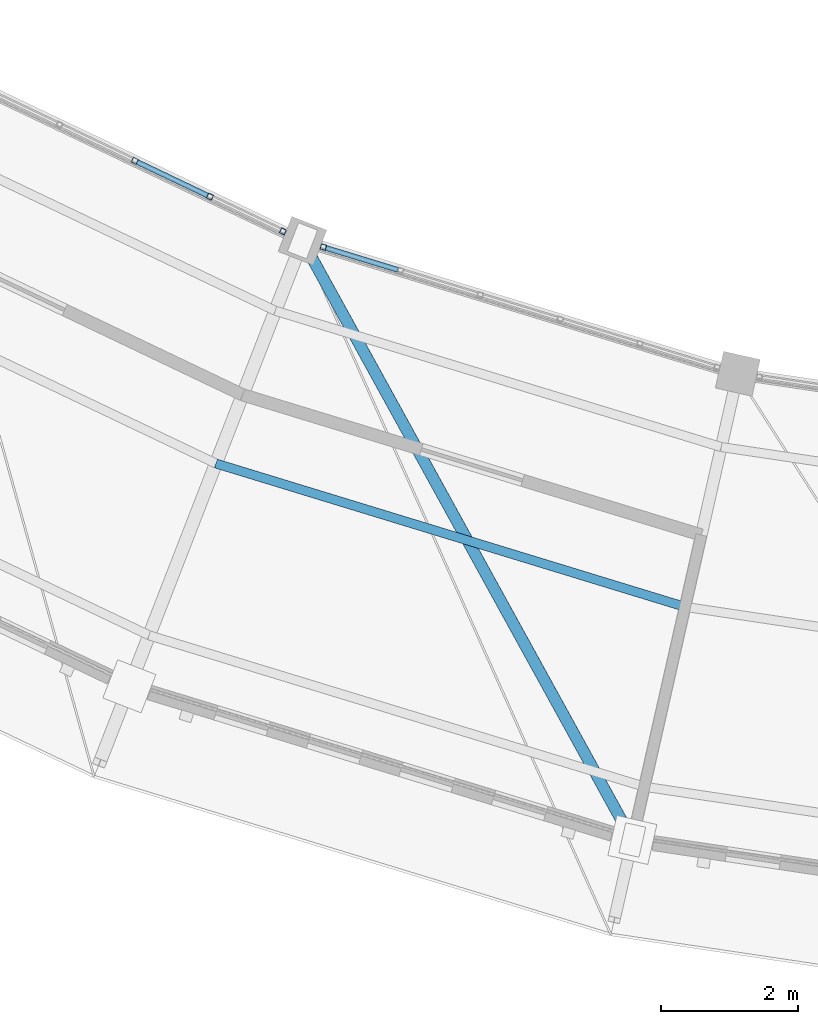
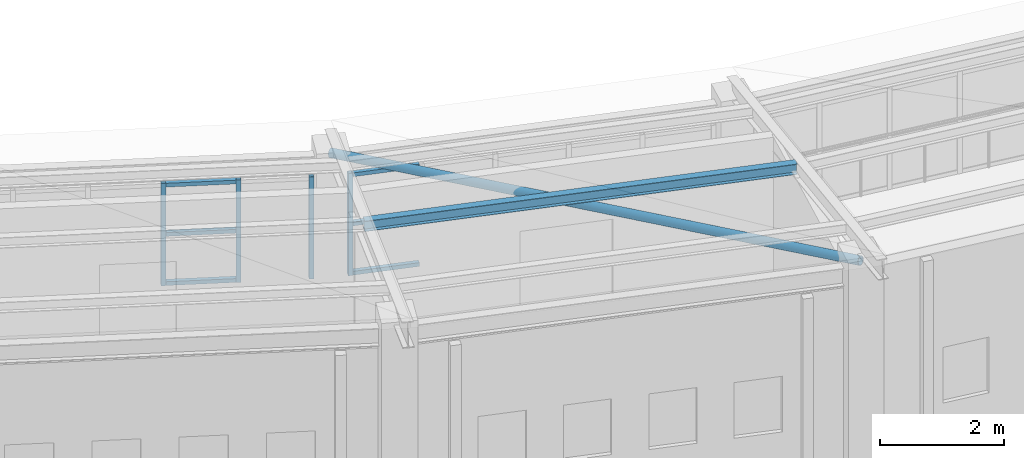
# One storey, part 33 of 149: 12 members, 2 elements without a shape of their own.
"""IFC4 building model written with IfcOpenShell, lengths in metres."""

from ifc_helpers import new_model, si_unit, direction, frame, origin, origin_2d, place, context, subcontext, project, spatial, hollow_rectangle, hollow_circle, i_section, extrude, material, material_profile, profile_set, type_object, element, aggregate, save


model = new_model("IFC4")

# Units and contexts
model_context = context("Model", 3, precision=1e-05, world=origin(), true_north=direction((0.0, 1.0)))
body_context = subcontext(model_context, "Body", "Model", "MODEL_VIEW")
ifc_project = project(units=[si_unit("LENGTHUNIT", "METRE"), si_unit("AREAUNIT", "SQUARE_METRE"), si_unit("VOLUMEUNIT", "CUBIC_METRE"), si_unit("PLANEANGLEUNIT", "RADIAN"), si_unit("MASSUNIT", "GRAM", prefix="KILO")], contexts=[model_context])

# Site, building, storey
site_placement = place(None, origin())
site = spatial("IfcSite", under=ifc_project, at=site_placement, CompositionType="ELEMENT")
building_placement = place(site_placement, origin())
building = spatial("IfcBuilding", under=site, at=building_placement, Name="Celadon Cloister-Ring School", CompositionType="ELEMENT")
storey_placement = place(building_placement, frame((0.0, 0.0, 12.5)))
storey = spatial("IfcBuildingStorey", under=building, at=storey_placement, Name="L03", CompositionType="ELEMENT", Elevation=12.5)

# Curtain wall, members
ifc_material_1 = material(Name="Aluminium EN AW-6063 T6", Category="aluminium")
curtain_wall_type = type_object("IfcCurtainWallType", Name="CW-02", PredefinedType="USERDEFINED", material=ifc_material_1)
curtain_wall_1_placement = place(storey_placement, origin())
curtain_wall_1 = element("IfcCurtainWall", 1, at=curtain_wall_1_placement, inside=storey, type_object=curtain_wall_type, Name="Curtain Wall 0058", ObjectType="CURTAIN WALL", PredefinedType="USERDEFINED")
ifc_material_2 = material(Name="Aluminium EN AW-6063 T6", Category="aluminium")
ifc_material_profile_1 = material_profile(ifc_material_2, hollow_rectangle(XDim=0.080078125, YDim=0.080078125, WallThickness=0.00390625, at=origin_2d()), Name="RHS80X80X4")
ifc_profile_set_1 = profile_set([ifc_material_profile_1], Name="Aluminium EN AW-6063 T6")
member_type_1 = type_object("IfcMemberType", Name="CM-03", PredefinedType="MULLION", material=ifc_profile_set_1)
member_1_placement = place(storey_placement, frame((68.240478515625, 18.228515625, 0.0), z_axis=(0.0, 0.0, 1.0), x_axis=(0.430371984189, 0.902651624507, 0.0)))
member_1 = element("IfcMember", 2, at=member_1_placement, type_object=member_type_1, Name="CW-02 mullion 4", PredefinedType="MULLION", context=body_context, shape_type="SweptSolid", body=[
    extrude(hollow_rectangle(XDim=0.080078125, YDim=0.080078125, WallThickness=0.00390625, at=origin_2d()), origin(), (0.0, 0.0, 1.0), 2.02001953125),
])
member_2_placement = place(storey_placement, frame((69.34326171875, 17.702880859375, 0.0), z_axis=(0.0, 0.0, 1.0), x_axis=(0.430371984189, 0.902651624507, 0.0)))
member_2 = element("IfcMember", 3, at=member_2_placement, type_object=member_type_1, Name="CW-02 mullion 5", PredefinedType="MULLION", context=body_context, shape_type="SweptSolid", body=[
    extrude(hollow_rectangle(XDim=0.080078125, YDim=0.080078125, WallThickness=0.00390625, at=origin_2d()), origin(), (0.0, 0.0, 1.0), 2.02001953125),
])
member_3_placement = place(storey_placement, frame((70.409912109375, 17.1943359375, 0.0), z_axis=(0.0, 0.0, 1.0), x_axis=(0.430371984189, 0.902651624507, 0.0)))
member_3 = element("IfcMember", 4, at=member_3_placement, type_object=member_type_1, Name="CW-02 mullion 6", PredefinedType="MULLION", context=body_context, shape_type="SweptSolid", body=[
    extrude(hollow_rectangle(XDim=0.080078125, YDim=0.080078125, WallThickness=0.00390625, at=origin_2d()), origin(), (0.0, 0.0, 1.0), 2.02001953125),
])

# Curtain wall, member
curtain_wall_2_placement = place(storey_placement, origin())
curtain_wall_2 = element("IfcCurtainWall", 5, at=curtain_wall_2_placement, inside=storey, type_object=curtain_wall_type, Name="Curtain Wall 0059", ObjectType="CURTAIN WALL", PredefinedType="USERDEFINED")
member_4_placement = place(storey_placement, frame((71.003173828125, 16.96435546875, 0.0), z_axis=(0.0, 0.0, 1.0), x_axis=(0.292405705746, 0.956294360146, 0.0)))
member_4 = element("IfcMember", 6, at=member_4_placement, type_object=member_type_1, Name="CW-02 mullion 1", PredefinedType="MULLION", context=body_context, shape_type="SweptSolid", body=[
    extrude(hollow_rectangle(XDim=0.080078125, YDim=0.080078125, WallThickness=0.00390625, at=origin_2d()), origin(), (0.0, 0.0, 1.0), 2.02001953125),
])

# Member
ifc_material_3 = material(Name="Aluminium EN AW-6063 T6", Category="aluminium")
ifc_material_profile_2 = material_profile(ifc_material_3, hollow_rectangle(XDim=0.074951171875, YDim=0.074951171875, WallThickness=0.00390625, at=origin_2d()), Name="RHS75X75X4")
ifc_profile_set_2 = profile_set([ifc_material_profile_2], Name="Aluminium EN AW-6063 T6")
member_type_2 = type_object("IfcMemberType", Name="CTM-03", PredefinedType="USERDEFINED", material=ifc_profile_set_2)
member_5_placement = place(storey_placement, frame((68.276611328125, 18.21142578125, 0.03759765625), z_axis=(0.902611350539, -0.430456443647, 0.0), x_axis=(0.430456443647, 0.902611350539, 0.0)))
member_5 = element("IfcMember", 7, at=member_5_placement, type_object=member_type_2, Name="CW-02 transom 4.1", ObjectType="TRANSOM", PredefinedType="USERDEFINED", context=body_context, shape_type="SweptSolid", body=[
    extrude(hollow_rectangle(XDim=0.074951171875, YDim=0.074951171875, WallThickness=0.00390625, at=origin_2d()), origin(), (0.0, 0.0, 1.0), 1.1416015625),
])

member_6_placement = place(storey_placement, frame((68.276611328125, 18.21142578125, 1.010009765625), z_axis=(0.902611350539, -0.430456443647, 0.0), x_axis=(0.430456443647, 0.902611350539, 0.0)))
member_6 = element("IfcMember", 8, at=member_6_placement, type_object=member_type_2, Name="CW-02 transom 4.2", ObjectType="TRANSOM", PredefinedType="USERDEFINED", context=body_context, shape_type="SweptSolid", body=[
    extrude(hollow_rectangle(XDim=0.074951171875, YDim=0.074951171875, WallThickness=0.00390625, at=origin_2d()), origin(), (0.0, 0.0, 1.0), 1.1416015625),
])

member_7_placement = place(storey_placement, frame((68.276611328125, 18.21142578125, 1.982421875), z_axis=(0.902611350539, -0.430456443647, 0.0), x_axis=(0.430456443647, 0.902611350539, 0.0)))
member_7 = element("IfcMember", 9, at=member_7_placement, type_object=member_type_2, Name="CW-02 transom 4.3", ObjectType="TRANSOM", PredefinedType="USERDEFINED", context=body_context, shape_type="SweptSolid", body=[
    extrude(hollow_rectangle(XDim=0.074951171875, YDim=0.074951171875, WallThickness=0.00390625, at=origin_2d()), origin(), (0.0, 0.0, 1.0), 1.1416015625),
])

aggregate(curtain_wall_1, [member_1, member_2, member_3, member_5, member_6, member_7])

member_8_placement = place(storey_placement, frame((71.04150390625, 16.95263671875, 0.03759765625), z_axis=(0.956318876314, -0.292325515147, 0.0), x_axis=(0.292325515147, 0.956318876314, 0.0)))
member_8 = element("IfcMember", 10, at=member_8_placement, type_object=member_type_2, Name="CW-02 transom 1.1", ObjectType="TRANSOM", PredefinedType="USERDEFINED", context=body_context, shape_type="SweptSolid", body=[
    extrude(hollow_rectangle(XDim=0.074951171875, YDim=0.074951171875, WallThickness=0.00390625, at=origin_2d()), origin(), (0.0, 0.0, 1.0), 1.1015625),
])

member_9_placement = place(storey_placement, frame((71.04150390625, 16.95263671875, 1.010009765625), z_axis=(0.956318876314, -0.292325515147, 0.0), x_axis=(0.292325515147, 0.956318876314, 0.0)))
member_9 = element("IfcMember", 11, at=member_9_placement, type_object=member_type_2, Name="CW-02 transom 1.2", ObjectType="TRANSOM", PredefinedType="USERDEFINED", context=body_context, shape_type="SweptSolid", body=[
    extrude(hollow_rectangle(XDim=0.074951171875, YDim=0.074951171875, WallThickness=0.00390625, at=origin_2d()), origin(), (0.0, 0.0, 1.0), 1.1015625),
])

member_10_placement = place(storey_placement, frame((71.04150390625, 16.95263671875, 1.982421875), z_axis=(0.956318876314, -0.292325515147, 0.0), x_axis=(0.292325515147, 0.956318876314, 0.0)))
member_10 = element("IfcMember", 12, at=member_10_placement, type_object=member_type_2, Name="CW-02 transom 1.3", ObjectType="TRANSOM", PredefinedType="USERDEFINED", context=body_context, shape_type="SweptSolid", body=[
    extrude(hollow_rectangle(XDim=0.074951171875, YDim=0.074951171875, WallThickness=0.00390625, at=origin_2d()), origin(), (0.0, 0.0, 1.0), 1.1015625),
])

aggregate(curtain_wall_2, [member_4, member_8, member_9, member_10])

# Members
ifc_material_4 = material(Name="Structural steel S355JR", Category="steel")
ifc_material_profile_3 = material_profile(ifc_material_4, hollow_circle(Radius=0.084228515625, WallThickness=0.008056640625, at=origin_2d()), Name="CHS168.3X8")
ifc_profile_set_3 = profile_set([ifc_material_profile_3], Name="Structural steel S355JR")
member_type_3 = type_object("IfcMemberType", Name="MB-09", PredefinedType="BRACE", material=ifc_profile_set_3)
member_11_placement = place(storey_placement, frame((70.697998046875, 17.056884765625, 2.449951171875), z_axis=(0.476933024072, -0.866375302369, 0.148083510203), x_axis=(0.876033696387, 0.482249896625, 0.0)))
element("IfcMember", 13, at=member_11_placement, inside=storey, type_object=member_type_3, Name="Structural Member 0156", PredefinedType="BRACE", context=body_context, shape_type="SweptSolid", body=[
    extrude(hollow_circle(Radius=0.084228515625, WallThickness=0.008056640625, at=origin_2d()), origin(), (0.0, 0.0, 1.0), 10.12939453125),
])
ifc_material_5 = material(Name="Structural steel S355JR", Category="steel")
ifc_material_profile_4 = material_profile(ifc_material_5, i_section(OverallWidth=0.133056640625, OverallDepth=0.20703125, WebThickness=0.005859375, FlangeThickness=0.00830078125, at=origin_2d()), Name="W200X27")
ifc_profile_set_4 = profile_set([ifc_material_profile_4], Name="Structural steel S355JR")
member_type_4 = type_object("IfcMemberType", Name="MP-04", PredefinedType="PURLIN", material=ifc_profile_set_4)
member_12_placement = place(storey_placement, frame((69.429931640625, 13.794921875, 3.4599609375), z_axis=(0.956337853233, -0.292263426508, 0.0), x_axis=(0.292263426508, 0.956337853233, 0.0)))
element("IfcMember", 14, at=member_12_placement, inside=storey, type_object=member_type_4, Name="Structural Member 0154", PredefinedType="PURLIN", context=body_context, shape_type="SweptSolid", body=[
    extrude(i_section(OverallWidth=0.133056640625, OverallDepth=0.20703125, WebThickness=0.005859375, FlangeThickness=0.00830078125, at=origin_2d()), origin(), (0.0, 0.0, 1.0), 7.184814453125),
])

save(model, "model.ifc")
